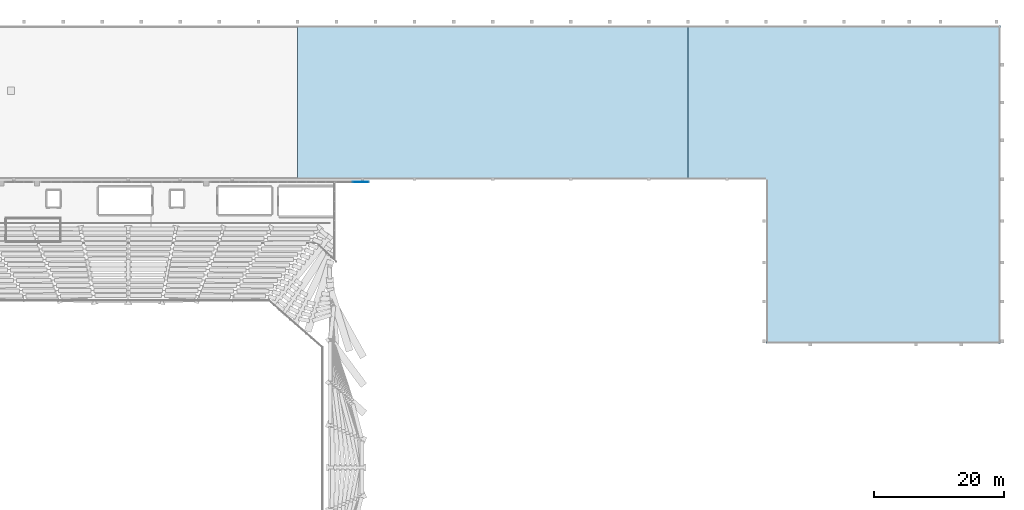
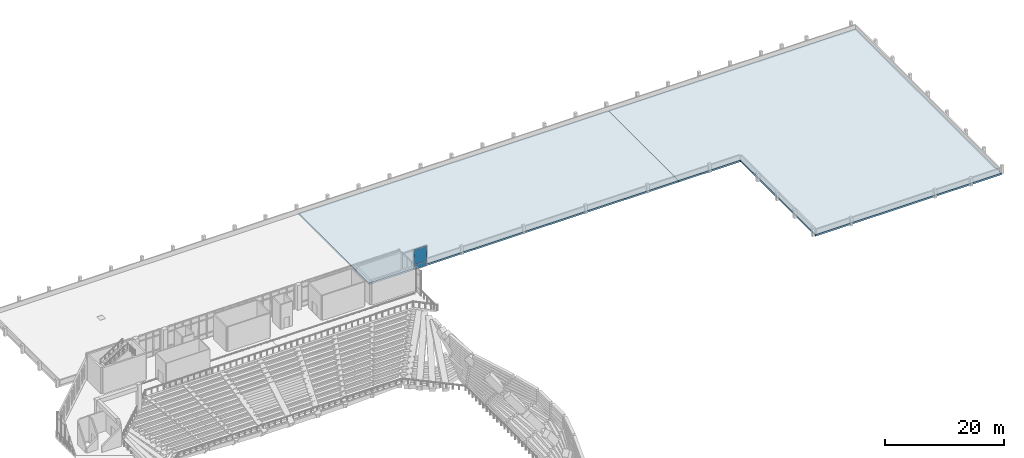
# One storey, part 41 of 55: 2 plates, 2 slabs, 1 element without a shape of its own.
"""IFC4 building model written with IfcOpenShell, lengths in metres."""

from ifc_helpers import new_model, si_unit, derived_unit, direction, frame, origin, origin_2d, place, context, subcontext, project, spatial, polyline, rectangle, outline, extrude, material, layer, layer_set, type_object, element, aggregate, save


model = new_model("IFC4")

# Units and contexts
model_context = context("Model", 3, precision=1e-05, world=origin(), true_north=direction((0.0, 1.0)))
body_context = subcontext(model_context, "Body", "Model", "MODEL_VIEW")
ifc_project = project(units=[si_unit("LENGTHUNIT", "METRE"), si_unit("AREAUNIT", "SQUARE_METRE"), si_unit("VOLUMEUNIT", "CUBIC_METRE"), si_unit("PLANEANGLEUNIT", "RADIAN"), si_unit("MASSUNIT", "GRAM", prefix="KILO"), derived_unit("THERMALTRANSMITTANCEUNIT", [(si_unit("MASSUNIT", "GRAM", prefix="KILO"), 1), (si_unit("TIMEUNIT", "SECOND"), -3), (si_unit("THERMODYNAMICTEMPERATUREUNIT", "KELVIN"), -1)])], contexts=[model_context])

# Site, building, storey
site_placement = place(None, origin())
site = spatial("IfcSite", under=ifc_project, at=site_placement, CompositionType="ELEMENT")
building_placement = place(site_placement, origin())
building = spatial("IfcBuilding", under=site, at=building_placement, Name="Valcora Ridge Arena", CompositionType="ELEMENT")
storey_placement = place(building_placement, frame((0.0, 0.0, 21.0)))
storey = spatial("IfcBuildingStorey", under=building, at=storey_placement, Name="L04", CompositionType="ELEMENT", Elevation=21.0)

# Curtain wall, plates
ifc_material_1 = material(Name="Anodised dark bronze architectural aluminium 6063-T6", Category="aluminium")
ifc_layer_1 = layer(ifc_material_1, 0.179931640625, Name="Anodised dark bronze architectural aluminium 6063-T6")
ifc_layer_set_1 = layer_set([ifc_layer_1], Name="Anodised dark bronze architectural aluminium 6063-T6")
curtain_wall_type = type_object("IfcCurtainWallType", Name="TY-CURTAINWALL-CW-V1-TYMPN-051X41", PredefinedType="NOTDEFINED", material=ifc_layer_set_1)
curtain_wall_placement = place(storey_placement, origin())
curtain_wall = element("IfcCurtainWall", 1, at=curtain_wall_placement, inside=storey, type_object=curtain_wall_type, Name="CW-V1-TYMPN-051X41 CW-0181", PredefinedType="NOTDEFINED")
ifc_material_2 = material(Name="Low-iron solar-control double glazing SHGC 0.28", Category="glass")
ifc_layer_2 = layer(ifc_material_2, 0.031982421875, Name="Low-iron solar-control double glazing SHGC 0.28")
ifc_layer_set_2 = layer_set([ifc_layer_2], Name="Low-iron solar-control double glazing SHGC 0.28")
plate_type_1 = type_object("IfcPlateType", Name="TY-PLT-CWP-2460X0860", PredefinedType="CURTAIN_PANEL", material=ifc_layer_set_2)
plate_1_placement = place(storey_placement, frame((93.7099609375, 107.97998046875, 0.06005859375), z_axis=(0.0, 0.0, 1.0), x_axis=(1.0, 0.0, 0.0)))
plate_1 = element("IfcPlate", 2, at=plate_1_placement, type_object=plate_type_1, Name="CW-0181/P01-00", PredefinedType="CURTAIN_PANEL", context=body_context, shape_type="SweptSolid", body=[
    extrude(rectangle(XDim=2.4599609375, YDim=0.031982421875, at=origin_2d()), origin(), (0.0, 0.0, 1.0), 0.860107421875),
])
ifc_layer_3 = layer(ifc_material_2, 0.031982421875, Name="Low-iron solar-control double glazing SHGC 0.28")
ifc_layer_set_3 = layer_set([ifc_layer_3], Name="Low-iron solar-control double glazing SHGC 0.28")
plate_type_2 = type_object("IfcPlateType", Name="TY-PLT-CWP-2460X3086", PredefinedType="CURTAIN_PANEL", material=ifc_layer_set_3)
plate_2_placement = place(storey_placement, frame((93.7099609375, 107.97998046875, 0.97998046875), z_axis=(0.0, 0.0, 1.0), x_axis=(1.0, 0.0, 0.0)))
plate_2 = element("IfcPlate", 3, at=plate_2_placement, type_object=plate_type_2, Name="CW-0181/P01-01", PredefinedType="CURTAIN_PANEL", context=body_context, shape_type="SweptSolid", body=[
    extrude(rectangle(XDim=2.4599609375, YDim=0.031982421875, at=origin_2d()), origin(), (0.0, 0.0, 1.0), 3.0859375),
])
aggregate(curtain_wall, [plate_1, plate_2])

# Slabs
ifc_material_3 = material(Name="Concrete C40/50", Category="concrete")
ifc_layer_4 = layer(ifc_material_3, 0.340087890625, Name="Concrete C40/50")
ifc_layer_set_4 = layer_set([ifc_layer_4], Name="Concrete C40/50")
slab_type_1 = type_object("IfcSlabType", Name="TY-SLAB-RF-V5-340-C", PredefinedType="ROOF", material=ifc_layer_set_4)
slab_1_placement = place(storey_placement, frame((0.0, 0.0, -0.340087890625)))
element("IfcSlab", 4, at=slab_1_placement, inside=storey, type_object=slab_type_1, Name="RF-V5-340-C SLB-0096", PredefinedType="ROOF", context=body_context, shape_type="SweptSolid", body=[
    extrude(outline(polyline([(84.0, 108.35009765625), (144.0, 108.35009765625), (144.0, 132.0), (84.0, 132.0), (84.0, 108.35009765625)])), origin(), (0.0, 0.0, 1.0), 0.340087890625),
])
ifc_layer_5 = layer(ifc_material_3, 0.340087890625, Name="Concrete C40/50")
ifc_layer_set_5 = layer_set([ifc_layer_5], Name="Concrete C40/50")
slab_type_2 = type_object("IfcSlabType", Name="TY-SLAB-RF-V5-340-E", PredefinedType="ROOF", material=ifc_layer_set_5)
slab_2_placement = place(storey_placement, frame((0.0, 0.0, -0.340087890625)))
element("IfcSlab", 5, at=slab_2_placement, inside=storey, type_object=slab_type_2, Name="RF-V5-340-E SLB-0097", PredefinedType="ROOF", context=body_context, shape_type="SweptSolid", body=[
    extrude(outline(polyline([(156.0, 83.14990234375), (192.0, 83.14990234375), (192.0, 132.0), (144.0, 132.0), (144.0, 108.35009765625), (156.0, 108.35009765625), (156.0, 83.14990234375)])), origin(), (0.0, 0.0, 1.0), 0.340087890625),
])

save(model, "model.ifc")
